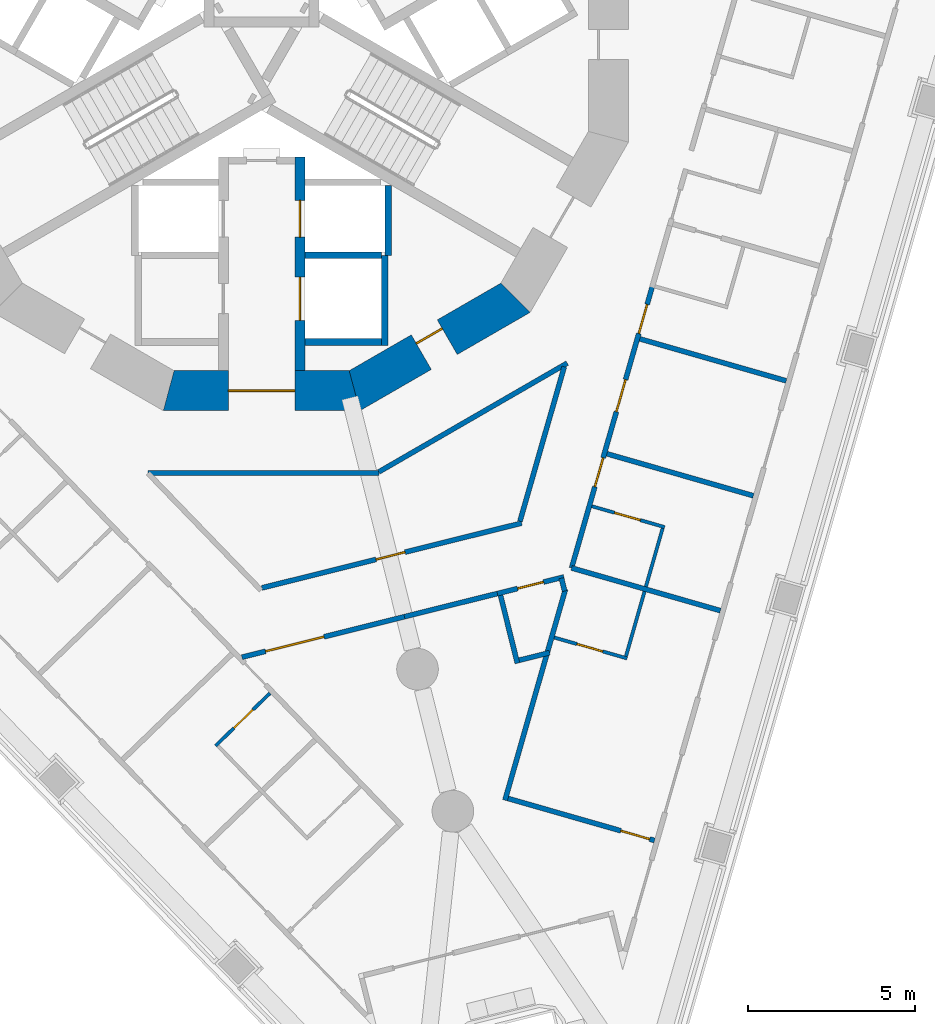
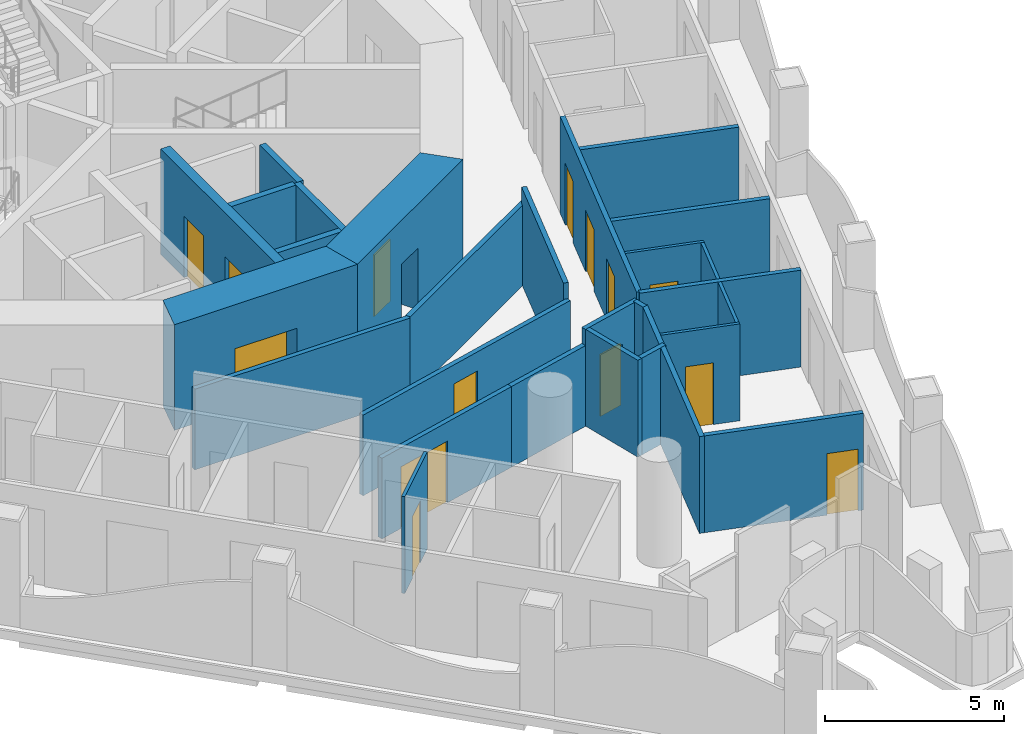
# One storey, part 4 of 19: 28 walls, 14 doors, 14 openings.
"""IFC4 building model written with IfcOpenShell, lengths in metres."""

from ifc_helpers import new_model, si_unit, direction, frame, frame_2d, origin, place, context, subcontext, project, spatial, polyline, rectangle, outline, extrude, material, layer, layer_set, type_object, element, fill, save


model = new_model("IFC4")

# Units and contexts
model_context = context("Model", 3, precision=1e-05, world=origin(), true_north=direction((0.0, 1.0)))
body_context = subcontext(model_context, "Body", "Model", "MODEL_VIEW")
ifc_project = project(units=[si_unit("LENGTHUNIT", "METRE"), si_unit("AREAUNIT", "SQUARE_METRE"), si_unit("VOLUMEUNIT", "CUBIC_METRE"), si_unit("PLANEANGLEUNIT", "RADIAN"), si_unit("MASSUNIT", "GRAM", prefix="KILO")], contexts=[model_context])

# Site, building, storey
site_placement = place(None, origin())
site = spatial("IfcSite", under=ifc_project, at=site_placement, CompositionType="ELEMENT")
building_placement = place(site_placement, origin())
building = spatial("IfcBuilding", under=site, at=building_placement, Name="Trine Commons Tower", CompositionType="ELEMENT")
storey_placement = place(building_placement, frame((0.0, 0.0, 105.300048828125)))
storey = spatial("IfcBuildingStorey", under=building, at=storey_placement, Name="L26", CompositionType="ELEMENT", Elevation=105.300048828125)

# Wall, opening, door
ifc_material_1 = material(Name="Concrete C70/85", Category="concrete")
ifc_layer_1 = layer(ifc_material_1, 1.199951171875)
ifc_layer_set_1 = layer_set([ifc_layer_1], Name="Concrete C70/85")
wall_type_1 = type_object("IfcWallType", Name="RC shear wall 1200 mm, C70/85", PredefinedType="SHEAR", material=ifc_layer_set_1)
wall_1_placement = place(storey_placement, frame((77.049560546875, 52.08837890625, 0.0), z_axis=(0.0, 0.0, 1.0), x_axis=(1.0, 0.0, 0.0)))
wall_1 = element("IfcWall", 1, at=wall_1_placement, inside=storey, type_object=wall_type_1, Name="Core wall CWC-10 L26", PredefinedType="SHEAR", context=body_context, shape_type="SweptSolid", body=[
    extrude(outline(polyline([(0.0, -0.60009765625), (5.90087890625, -0.60009765625), (5.57958984375, 0.60009765625), (0.321533203125, 0.60009765625), (0.0, -0.60009765625)])), origin(), (0.0, 0.0, 1.0), 3.599853515625),
])
opening_1_placement = place(wall_1_placement, frame((1.950439453125, 0.0, 0.0)))
opening_1 = element("IfcOpeningElement", 2, at=opening_1_placement, cuts=wall_1, Name="Opening K05.08", PredefinedType="OPENING", context=body_context, shape_type="SweptSolid", body=[
    extrude(rectangle(XDim=2.0, YDim=2.10009765625, at=frame_2d((1.0, 1.050048828125))), frame((0.0, 0.60986328125, 0.0), z_axis=(0.0, -1.0, 0.0), x_axis=(1.0, 0.0, 0.0)), (0.0, 0.0, 1.0), 1.219970703125),
])
ifc_material_2 = material(Name="Steel door leaves, fire-rated", Category="steel")
door_type_1 = type_object("IfcDoorType", Name="Lobby door, double leaf 2000 x 2100, FD60", OperationType="DOUBLE_DOOR_SINGLE_SWING", PredefinedType="DOOR", material=ifc_material_2)
door_1_placement = place(opening_1_placement, origin())
door_1 = element("IfcDoor", 3, at=door_1_placement, inside=storey, type_object=door_type_1, Name="Lobby door, Service and firefighting lobby L26", OperationType="DOUBLE_DOOR_SINGLE_SWING", OverallHeight=2.10009765625, OverallWidth=2.0, PredefinedType="DOOR", context=body_context, shape_type="SweptSolid", body=[
    extrude(rectangle(XDim=2.0, YDim=2.10009765625, at=frame_2d((1.0, 1.050048828125))), frame((0.0, 0.02490234375, 0.0), z_axis=(0.0, -1.0, 0.0), x_axis=(1.0, 0.0, 0.0)), (0.0, 0.0, 1.0), 0.050048828125),
])
fill(opening_1, door_1)

wall_2_placement = place(storey_placement, frame((82.650390625, 52.008056640625, 0.0), z_axis=(0.0, 0.0, 1.0), x_axis=(0.866037463336, 0.499979111662, 0.0)))
wall_2 = element("IfcWall", 4, at=wall_2_placement, inside=storey, type_object=wall_type_1, Name="Core wall CWC-11 L26", PredefinedType="SHEAR", context=body_context, shape_type="SweptSolid", body=[
    extrude(outline(polyline([(0.0, -0.60009765625), (5.901123046875, -0.60009765625), (5.57958984375, 0.60009765625), (0.321533203125, 0.60009765625), (0.0, -0.60009765625)])), origin(), (0.0, 0.0, 1.0), 3.599853515625),
])
opening_2_placement = place(wall_2_placement, frame((2.474853515625, 0.0, 0.0)))
opening_2 = element("IfcOpeningElement", 5, at=opening_2_placement, cuts=wall_2, Name="Opening K05.15", PredefinedType="OPENING", context=body_context, shape_type="SweptSolid", body=[
    extrude(rectangle(XDim=0.89990234375, YDim=2.10009765625, at=frame_2d((0.449951171875, 1.050048828125))), frame((0.0, 0.60986328125, 0.0), z_axis=(0.0, -1.0, 0.0), x_axis=(1.0, 0.0, 0.0)), (0.0, 0.0, 1.0), 1.219970703125),
])
ifc_material_3 = material(Name="Steel door leaf, fire-rated", Category="steel")
door_type_2 = type_object("IfcDoorType", Name="Core room door, single leaf 900 x 2100, FD30S", OperationType="SINGLE_SWING_LEFT", PredefinedType="DOOR", material=ifc_material_3)
door_2_placement = place(opening_2_placement, origin())
door_2 = element("IfcDoor", 6, at=door_2_placement, inside=storey, type_object=door_type_2, Name="Door to Core WC L26", OperationType="SINGLE_SWING_LEFT", OverallHeight=2.10009765625, OverallWidth=0.89990234375, PredefinedType="DOOR", context=body_context, shape_type="SweptSolid", body=[
    extrude(rectangle(XDim=0.89990234375, YDim=2.10009765625, at=frame_2d((0.449951171875, 1.050048828125))), frame((0.0, 0.3251953125, 0.0), z_axis=(0.0, -1.0, 0.0), x_axis=(1.0, 0.0, 0.0)), (0.0, 0.0, 1.0), 0.050048828125),
])
fill(opening_2, door_2)

# Wall, openings, doors
ifc_layer_2 = layer(ifc_material_1, 0.300048828125)
ifc_layer_set_2 = layer_set([ifc_layer_2], Name="Concrete C70/85")
wall_type_2 = type_object("IfcWallType", Name="RC shear wall 300 mm, C70/85", PredefinedType="SHEAR", material=ifc_layer_set_2)
wall_3_placement = place(storey_placement, frame((81.14990234375, 59.10009765625, 0.0), z_axis=(0.0, 0.0, 1.0), x_axis=(0.0, -1.0, 0.0)))
wall_3 = element("IfcWall", 7, at=wall_3_placement, inside=storey, type_object=wall_type_2, Name="Core cross wall SWA-04 L26", PredefinedType="SHEAR", context=body_context, shape_type="SweptSolid", body=[
    extrude(rectangle(XDim=6.412109375, YDim=0.300048828125, at=frame_2d((3.2060546875, 0.0))), origin(), (0.0, 0.0, 1.0), 3.599853515625),
])
opening_3_placement = place(wall_3_placement, frame((3.60009765625, 0.0, 0.0)))
opening_3 = element("IfcOpeningElement", 8, at=opening_3_placement, cuts=wall_3, Name="Opening LD11", PredefinedType="OPENING", context=body_context, shape_type="SweptSolid", body=[
    extrude(rectangle(XDim=1.300048828125, YDim=2.10009765625, at=frame_2d((0.64990234375, 1.050048828125))), frame((0.0, 0.159912109375, 0.0), z_axis=(0.0, -1.0, 0.0), x_axis=(1.0, 0.0, 0.0)), (0.0, 0.0, 1.0), 0.320068359375),
])
opening_4_placement = place(wall_3_placement, frame((1.300048828125, 0.0, 0.0)))
opening_4 = element("IfcOpeningElement", 9, at=opening_4_placement, cuts=wall_3, Name="Opening LD9", PredefinedType="OPENING", context=body_context, shape_type="SweptSolid", body=[
    extrude(rectangle(XDim=1.10009765625, YDim=2.10009765625, at=frame_2d((0.550048828125, 1.050048828125))), frame((0.0, 0.159912109375, 0.0), z_axis=(0.0, -1.0, 0.0), x_axis=(1.0, 0.0, 0.0)), (0.0, 0.0, 1.0), 0.320068359375),
])
ifc_material_4 = material(Name="Stainless steel sliding door leaves", Category="steel")
door_type_3 = type_object("IfcDoorType", Name="Lift landing door, centre-opening sliding 1100 x 2100, FD90", OperationType="DOUBLE_DOOR_SLIDING", PredefinedType="DOOR", material=ifc_material_4)
door_3_placement = place(opening_4_placement, origin())
door_3 = element("IfcDoor", 10, at=door_3_placement, inside=storey, type_object=door_type_3, Name="Lift landing door FF1 L26", OperationType="DOUBLE_DOOR_SLIDING", OverallHeight=2.10009765625, OverallWidth=1.10009765625, PredefinedType="DOOR", context=body_context, shape_type="SweptSolid", body=[
    extrude(rectangle(XDim=1.10009765625, YDim=2.10009765625, at=frame_2d((0.550048828125, 1.050048828125))), frame((0.0, 0.02490234375, 0.0), z_axis=(0.0, -1.0, 0.0), x_axis=(1.0, 0.0, 0.0)), (0.0, 0.0, 1.0), 0.050048828125),
])
fill(opening_4, door_3)
door_type_4 = type_object("IfcDoorType", Name="Lift landing door, centre-opening sliding 1300 x 2100, FD90", OperationType="DOUBLE_DOOR_SLIDING", PredefinedType="DOOR", material=ifc_material_4)
door_4_placement = place(opening_3_placement, origin())
door_4 = element("IfcDoor", 11, at=door_4_placement, inside=storey, type_object=door_type_4, Name="Lift landing door G1 L26", OperationType="DOUBLE_DOOR_SLIDING", OverallHeight=2.10009765625, OverallWidth=1.300048828125, PredefinedType="DOOR", context=body_context, shape_type="SweptSolid", body=[
    extrude(rectangle(XDim=1.300048828125, YDim=2.10009765625, at=frame_2d((0.64990234375, 1.050048828125))), frame((0.0, 0.02490234375, 0.0), z_axis=(0.0, -1.0, 0.0), x_axis=(1.0, 0.0, 0.0)), (0.0, 0.0, 1.0), 0.050048828125),
])
fill(opening_3, door_4)

# Walls
ifc_material_5 = material(Name="Fire-rated gypsum shaft wall system")
ifc_layer_3 = layer(ifc_material_5, 0.199951171875)
ifc_layer_set_3 = layer_set([ifc_layer_3], Name="Fire-rated gypsum shaft wall system")
wall_type_3 = type_object("IfcWallType", Name="Shaft wall 200 mm, EI 120", PredefinedType="PARTITIONING", material=ifc_layer_set_3)
for number, where, z_axis, x_axis, name in (
    (12, (81.300048828125, 53.550048828125, 0.0), (0.0, 0.0, 1.0), (1.0, 0.0, 0.0), "Shaft wall L26"),
    (13, (81.300048828125, 56.14990234375, 0.0), (0.0, 0.0, 1.0), (1.0, 0.0, 0.0), "Shaft wall L26"),
):
    element("IfcWall", number, at=place(storey_placement, frame(where, z_axis=z_axis, x_axis=x_axis)), inside=storey, type_object=wall_type_3, Name=name, PredefinedType="PARTITIONING", context=body_context, shape_type="SweptSolid", body=[
        extrude(rectangle(XDim=2.300048828125, YDim=0.199951171875, at=frame_2d((1.14990234375, 0.0))), origin(), (0.0, 0.0, 1.0), 3.300048828125),
    ])
wall_4_placement = place(storey_placement, frame((83.699951171875, 56.14990234375, 0.0), z_axis=(0.0, 0.0, 1.0), x_axis=(0.0, -1.0, 0.0)))
element("IfcWall", 14, at=wall_4_placement, inside=storey, type_object=wall_type_3, Name="Shaft wall L26", PredefinedType="PARTITIONING", context=body_context, shape_type="SweptSolid", body=[
    extrude(rectangle(XDim=2.699951171875, YDim=0.199951171875, at=frame_2d((1.35009765625, 0.0))), origin(), (0.0, 0.0, 1.0), 3.300048828125),
])
wall_5_placement = place(storey_placement, frame((83.800048828125, 58.256103515625, 0.0), z_axis=(0.0, 0.0, 1.0), x_axis=(0.0, -1.0, 0.0)))
element("IfcWall", 15, at=wall_5_placement, inside=storey, type_object=wall_type_3, Name="Shaft wall L26", PredefinedType="PARTITIONING", context=body_context, shape_type="SweptSolid", body=[
    extrude(rectangle(XDim=2.106201171875, YDim=0.199951171875, at=frame_2d((1.05322265625, 0.0))), origin(), (0.0, 0.0, 1.0), 3.300048828125),
])
ifc_material_6 = material(Name="Gypsum plasterboard on steel stud", Category="steel")
ifc_layer_4 = layer(ifc_material_6, 0.14990234375)
ifc_layer_set_4 = layer_set([ifc_layer_4], Name="Gypsum plasterboard on steel stud")
wall_type_4 = type_object("IfcWallType", Name="Unit and corridor wall 150 mm, EI 60", PredefinedType="PARTITIONING", material=ifc_layer_set_4)
wall_6_placement = place(storey_placement, frame((76.583984375, 49.613037109375, 0.0), z_axis=(0.0, 0.0, 1.0), x_axis=(1.0, 0.0, 0.0)))
element("IfcWall", 16, at=wall_6_placement, inside=storey, type_object=wall_type_4, Name="Partition 060", PredefinedType="PARTITIONING", context=body_context, shape_type="SweptSolid", body=[
    extrude(rectangle(XDim=6.944091796875, YDim=0.14990234375, at=frame_2d((3.47216796875, 0.0))), origin(), (0.0, 0.0, 1.0), 2.75),
])

# Wall, opening, door
wall_7_placement = place(storey_placement, frame((79.40869140625, 44.087158203125, 0.0), z_axis=(0.0, 0.0, 1.0), x_axis=(0.970285120957, 0.241964427241, 0.0)))
wall_7 = element("IfcWall", 17, at=wall_7_placement, inside=storey, type_object=wall_type_4, Name="Partition 072", PredefinedType="PARTITIONING", context=body_context, shape_type="SweptSolid", body=[
    extrude(rectangle(XDim=5.02880859375, YDim=0.14990234375, at=frame_2d((2.514404296875, 0.0))), origin(), (0.0, 0.0, 1.0), 2.75),
])
opening_5_placement = place(wall_7_placement, frame((0.735595703125, 0.0, 0.0)))
opening_5 = element("IfcOpeningElement", 18, at=opening_5_placement, cuts=wall_7, Name="Opening D-3B02", PredefinedType="OPENING", context=body_context, shape_type="SweptSolid", body=[
    extrude(rectangle(XDim=1.800048828125, YDim=2.10009765625, at=frame_2d((0.89990234375, 1.050048828125))), frame((0.0, 0.0849609375, 0.0), z_axis=(0.0, -1.0, 0.0), x_axis=(1.0, 0.0, 0.0)), (0.0, 0.0, 1.0), 0.169921875),
])
ifc_material_7 = material(Name="Timber fire door set", Category="wood")
door_type_5 = type_object("IfcDoorType", Name="Cluster entrance door 1800 x 2100, double leaf, FD30S", OperationType="DOUBLE_DOOR_DOUBLE_SWING", PredefinedType="DOOR", material=ifc_material_7)
door_5_placement = place(opening_5_placement, frame((1.800048828125, 0.0, 0.0), z_axis=(0.0, 0.0, 1.0), x_axis=(-1.0, 0.0, 0.0)))
door_5 = element("IfcDoor", 19, at=door_5_placement, inside=storey, type_object=door_type_5, Name="Door D-3B02", OperationType="DOUBLE_DOOR_DOUBLE_SWING", OverallHeight=2.10009765625, OverallWidth=1.800048828125, PredefinedType="DOOR", context=body_context, shape_type="SweptSolid", body=[
    extrude(rectangle(XDim=1.800048828125, YDim=2.10009765625, at=frame_2d((0.89990234375, 1.050048828125))), frame((0.0, 0.02490234375, 0.0), z_axis=(0.0, -1.0, 0.0), x_axis=(1.0, 0.0, 0.0)), (0.0, 0.0, 1.0), 0.050048828125),
])
fill(opening_5, door_5)

wall_8_placement = place(storey_placement, frame((80.005859375, 46.168212890625, 0.0), z_axis=(0.0, 0.0, 1.0), x_axis=(0.970272737209, 0.242014081056, 0.0)))
wall_8 = element("IfcWall", 20, at=wall_8_placement, inside=storey, type_object=wall_type_4, Name="Partition 074", PredefinedType="PARTITIONING", context=body_context, shape_type="SweptSolid", body=[
    extrude(rectangle(XDim=8.041015625, YDim=0.14990234375, at=frame_2d((4.0205078125, 0.0))), origin(), (0.0, 0.0, 1.0), 2.75),
])
opening_6_placement = place(wall_8_placement, frame((3.532958984375, 0.0, 0.0)))
opening_6 = element("IfcOpeningElement", 21, at=opening_6_placement, cuts=wall_8, Name="Opening D-3B36", PredefinedType="OPENING", context=body_context, shape_type="SweptSolid", body=[
    extrude(rectangle(XDim=0.89990234375, YDim=2.10009765625, at=frame_2d((0.449951171875, 1.050048828125))), frame((0.0, 0.0849609375, 0.0), z_axis=(0.0, -1.0, 0.0), x_axis=(1.0, 0.0, 0.0)), (0.0, 0.0, 1.0), 0.169921875),
])
door_type_6 = type_object("IfcDoorType", Name="Service door 900 x 2100, FD30S", OperationType="NOTDEFINED", PredefinedType="DOOR", material=ifc_material_7)
door_6_placement = place(opening_6_placement, origin())
door_6 = element("IfcDoor", 22, at=door_6_placement, inside=storey, type_object=door_type_6, Name="Door D-3B36", OperationType="SINGLE_SWING_LEFT", OverallHeight=2.10009765625, OverallWidth=0.89990234375, PredefinedType="DOOR", context=body_context, shape_type="SweptSolid", body=[
    extrude(rectangle(XDim=0.89990234375, YDim=2.10009765625, at=frame_2d((0.449951171875, 1.050048828125))), frame((0.0, 0.02490234375, 0.0), z_axis=(0.0, -1.0, 0.0), x_axis=(1.0, 0.0, 0.0)), (0.0, 0.0, 1.0), 0.050048828125),
])
fill(opening_6, door_6)

# Walls
wall_9_placement = place(storey_placement, frame((83.51806640625, 49.650390625, 0.0), z_axis=(0.0, 0.0, 1.0), x_axis=(0.866021893259, 0.50000608036, 0.0)))
element("IfcWall", 23, at=wall_9_placement, inside=storey, type_object=wall_type_4, Name="Partition 083", PredefinedType="PARTITIONING", context=body_context, shape_type="SweptSolid", body=[
    extrude(rectangle(XDim=6.5322265625, YDim=0.14990234375, at=frame_2d((3.26611328125, 0.0))), origin(), (0.0, 0.0, 1.0), 2.75),
])
wall_10_placement = place(storey_placement, frame((84.2880859375, 45.303955078125, 0.0), z_axis=(0.0, 0.0, 1.0), x_axis=(0.970312264522, 0.241855554658, 0.0)))
element("IfcWall", 24, at=wall_10_placement, inside=storey, type_object=wall_type_4, Name="Partition 087", PredefinedType="PARTITIONING", context=body_context, shape_type="SweptSolid", body=[
    extrude(rectangle(XDim=2.956787109375, YDim=0.14990234375, at=frame_2d((1.478515625, 0.0))), origin(), (0.0, 0.0, 1.0), 2.75),
])

# Wall, opening, door
wall_11_placement = place(storey_placement, frame((87.076171875, 45.998779296875, 0.0), z_axis=(0.0, 0.0, 1.0), x_axis=(0.970351527821, 0.241697977766, 0.0)))
wall_11 = element("IfcWall", 25, at=wall_11_placement, inside=storey, type_object=wall_type_4, Name="Partition 092", PredefinedType="PARTITIONING", context=body_context, shape_type="SweptSolid", body=[
    extrude(rectangle(XDim=2.0576171875, YDim=0.14990234375, at=frame_2d((1.02880859375, 0.0))), origin(), (0.0, 0.0, 1.0), 3.300048828125),
])
opening_7_placement = place(wall_11_placement, frame((0.62890625, 0.0, 0.0)))
opening_7 = element("IfcOpeningElement", 26, at=opening_7_placement, cuts=wall_11, Name="Opening D-3B05", PredefinedType="OPENING", context=body_context, shape_type="SweptSolid", body=[
    extrude(rectangle(XDim=0.800048828125, YDim=2.10009765625, at=frame_2d((0.39990234375, 1.050048828125))), frame((0.0, 0.0849609375, 0.0), z_axis=(0.0, -1.0, 0.0), x_axis=(1.0, 0.0, 0.0)), (0.0, 0.0, 1.0), 0.169921875),
])
ifc_material_8 = material(Name="Painted timber", Category="wood")
door_type_7 = type_object("IfcDoorType", Name="Toilet door 800 x 2100, NOT RATED", OperationType="NOTDEFINED", PredefinedType="DOOR", material=ifc_material_8)
door_7_placement = place(opening_7_placement, frame((0.800048828125, 0.0, 0.0), z_axis=(0.0, 0.0, 1.0), x_axis=(-1.0, 0.0, 0.0)))
door_7 = element("IfcDoor", 27, at=door_7_placement, inside=storey, type_object=door_type_7, Name="Door D-3B05", OperationType="SINGLE_SWING_LEFT", OverallHeight=2.10009765625, OverallWidth=0.800048828125, PredefinedType="DOOR", context=body_context, shape_type="SweptSolid", body=[
    extrude(rectangle(XDim=0.800048828125, YDim=2.10009765625, at=frame_2d((0.39990234375, 1.050048828125))), frame((0.0, 0.02490234375, 0.0), z_axis=(0.0, -1.0, 0.0), x_axis=(1.0, 0.0, 0.0)), (0.0, 0.0, 1.0), 0.050048828125),
])
fill(opening_7, door_7)

# Walls
wall_12_placement = place(storey_placement, frame((87.171142578125, 45.9453125, 0.0), z_axis=(0.0, 0.0, 1.0), x_axis=(0.241879199479, -0.970306370617, 0.0)))
element("IfcWall", 28, at=wall_12_placement, inside=storey, type_object=wall_type_4, Name="Partition 093", PredefinedType="PARTITIONING", context=body_context, shape_type="SweptSolid", body=[
    extrude(rectangle(XDim=2.100341796875, YDim=0.14990234375, at=frame_2d((1.05029296875, 0.0))), origin(), (0.0, 0.0, 1.0), 3.300048828125),
])
wall_13_placement = place(storey_placement, frame((87.306396484375, 39.7958984375, 0.0), z_axis=(0.0, 0.0, 1.0), x_axis=(0.275518807658, 0.961295681165, 0.0)))
element("IfcWall", 29, at=wall_13_placement, inside=storey, type_object=wall_type_4, Name="Partition 094", PredefinedType="PARTITIONING", context=body_context, shape_type="SweptSolid", body=[
    extrude(rectangle(XDim=6.588134765625, YDim=0.14990234375, at=frame_2d((3.2939453125, 0.0))), origin(), (0.0, 0.0, 1.0), 3.300048828125),
])

# Wall, opening, door
wall_14_placement = place(storey_placement, frame((87.399169921875, 39.847412109375, 0.0), z_axis=(0.0, 0.0, 1.0), x_axis=(0.961251469363, -0.275673017626, 0.0)))
wall_14 = element("IfcWall", 30, at=wall_14_placement, inside=storey, type_object=wall_type_4, Name="Partition 095", PredefinedType="PARTITIONING", context=body_context, shape_type="SweptSolid", body=[
    extrude(rectangle(XDim=4.572509765625, YDim=0.14990234375, at=frame_2d((2.2861328125, 0.0))), origin(), (0.0, 0.0, 1.0), 3.300048828125),
])
opening_8_placement = place(wall_14_placement, frame((3.522705078125, 0.0, 0.0)))
opening_8 = element("IfcOpeningElement", 31, at=opening_8_placement, cuts=wall_14, Name="Opening D-3B25", PredefinedType="OPENING", context=body_context, shape_type="SweptSolid", body=[
    extrude(rectangle(XDim=0.89990234375, YDim=2.10009765625, at=frame_2d((0.449951171875, 1.050048828125))), frame((0.0, 0.0849609375, 0.0), z_axis=(0.0, -1.0, 0.0), x_axis=(1.0, 0.0, 0.0)), (0.0, 0.0, 1.0), 0.169921875),
])
door_type_8 = type_object("IfcDoorType", Name="Bedroom door 900 x 2100, FD30S", OperationType="NOTDEFINED", PredefinedType="DOOR", material=ifc_material_7)
door_8_placement = place(opening_8_placement, origin())
door_8 = element("IfcDoor", 32, at=door_8_placement, inside=storey, type_object=door_type_8, Name="Door D-3B25", OperationType="SINGLE_SWING_RIGHT", OverallHeight=2.10009765625, OverallWidth=0.89990234375, PredefinedType="DOOR", context=body_context, shape_type="SweptSolid", body=[
    extrude(rectangle(XDim=0.89990234375, YDim=2.10009765625, at=frame_2d((0.449951171875, 1.050048828125))), frame((0.0, 0.02490234375, 0.0), z_axis=(0.0, -1.0, 0.0), x_axis=(1.0, 0.0, 0.0)), (0.0, 0.0, 1.0), 0.050048828125),
])
fill(opening_8, door_8)

# Walls
wall_15_placement = place(storey_placement, frame((87.73388671875, 43.998291015625, 0.0), z_axis=(0.0, 0.0, 1.0), x_axis=(0.970310725512, 0.241861729005, 0.0)))
element("IfcWall", 33, at=wall_15_placement, inside=storey, type_object=wall_type_4, Name="Partition 097", PredefinedType="PARTITIONING", context=body_context, shape_type="SweptSolid", body=[
    extrude(rectangle(XDim=0.937744140625, YDim=0.14990234375, at=frame_2d((0.46875, 0.0))), origin(), (0.0, 0.0, 1.0), 3.300048828125),
])
wall_16_placement = place(storey_placement, frame((87.755615234375, 48.168212890625, 0.0), z_axis=(0.0, 0.0, 1.0), x_axis=(0.275589878427, 0.961275308592, 0.0)))
element("IfcWall", 34, at=wall_16_placement, inside=storey, type_object=wall_type_4, Name="Partition 098", PredefinedType="PARTITIONING", context=body_context, shape_type="SweptSolid", body=[
    extrude(rectangle(XDim=4.824462890625, YDim=0.14990234375, at=frame_2d((2.412109375, 0.0))), origin(), (0.0, 0.0, 1.0), 3.300048828125),
])
wall_17_placement = place(storey_placement, frame((89.0, 46.461669921875, 0.0), z_axis=(0.0, 0.0, 1.0), x_axis=(0.242248462582, -0.970214245606, 0.0)))
element("IfcWall", 35, at=wall_17_placement, inside=storey, type_object=wall_type_4, Name="Partition 104", PredefinedType="PARTITIONING", context=body_context, shape_type="SweptSolid", body=[
    extrude(rectangle(XDim=0.400146484375, YDim=0.14990234375, at=frame_2d((0.2001953125, 0.0))), origin(), (0.0, 0.0, 1.0), 3.300048828125),
])

# Wall, openings, doors
wall_18_placement = place(storey_placement, frame((89.303955078125, 46.762939453125, 0.0), z_axis=(0.0, 0.0, 1.0), x_axis=(0.275663916699, 0.961254079331, 0.0)))
wall_18 = element("IfcWall", 36, at=wall_18_placement, inside=storey, type_object=wall_type_4, Name="Partition 105", PredefinedType="PARTITIONING", context=body_context, shape_type="SweptSolid", body=[
    extrude(rectangle(XDim=8.82275390625, YDim=0.14990234375, at=frame_2d((4.411376953125, 0.0))), origin(), (0.0, 0.0, 1.0), 3.300048828125),
])
opening_9_placement = place(wall_18_placement, frame((7.330078125, 0.0, 0.0)))
opening_9 = element("IfcOpeningElement", 37, at=opening_9_placement, cuts=wall_18, Name="Opening D-3B22", PredefinedType="OPENING", context=body_context, shape_type="SweptSolid", body=[
    extrude(rectangle(XDim=0.89990234375, YDim=2.10009765625, at=frame_2d((0.449951171875, 1.050048828125))), frame((0.0, 0.0849609375, 0.0), z_axis=(0.0, -1.0, 0.0), x_axis=(1.0, 0.0, 0.0)), (0.0, 0.0, 1.0), 0.169921875),
])
opening_10_placement = place(wall_18_placement, frame((4.885986328125, 0.0, 0.0)))
opening_10 = element("IfcOpeningElement", 38, at=opening_10_placement, cuts=wall_18, Name="Opening D-3B23", PredefinedType="OPENING", context=body_context, shape_type="SweptSolid", body=[
    extrude(rectangle(XDim=1.0, YDim=2.10009765625, at=frame_2d((0.5, 1.050048828125))), frame((0.0, 0.0849609375, 0.0), z_axis=(0.0, -1.0, 0.0), x_axis=(1.0, 0.0, 0.0)), (0.0, 0.0, 1.0), 0.169921875),
])
opening_11_placement = place(wall_18_placement, frame((2.5419921875, 0.0, 0.0)))
opening_11 = element("IfcOpeningElement", 39, at=opening_11_placement, cuts=wall_18, Name="Opening D-3B24", PredefinedType="OPENING", context=body_context, shape_type="SweptSolid", body=[
    extrude(rectangle(XDim=0.89990234375, YDim=2.10009765625, at=frame_2d((0.449951171875, 1.050048828125))), frame((0.0, 0.0849609375, 0.0), z_axis=(0.0, -1.0, 0.0), x_axis=(1.0, 0.0, 0.0)), (0.0, 0.0, 1.0), 0.169921875),
])
door_type_9 = type_object("IfcDoorType", Name="Amenity room door 1000 x 2100, NOT RATED", OperationType="NOTDEFINED", PredefinedType="DOOR", material=ifc_material_8)
door_9_placement = place(opening_10_placement, frame((1.0, 0.0, 0.0), z_axis=(0.0, 0.0, 1.0), x_axis=(-1.0, 0.0, 0.0)))
door_9 = element("IfcDoor", 40, at=door_9_placement, inside=storey, type_object=door_type_9, Name="Door D-3B23", OperationType="SINGLE_SWING_LEFT", OverallHeight=2.10009765625, OverallWidth=1.0, PredefinedType="DOOR", context=body_context, shape_type="SweptSolid", body=[
    extrude(rectangle(XDim=1.0, YDim=2.10009765625, at=frame_2d((0.5, 1.050048828125))), frame((0.0, 0.02490234375, 0.0), z_axis=(0.0, -1.0, 0.0), x_axis=(1.0, 0.0, 0.0)), (0.0, 0.0, 1.0), 0.050048828125),
])
fill(opening_10, door_9)
door_10_placement = place(opening_9_placement, frame((0.89990234375, 0.0, 0.0), z_axis=(0.0, 0.0, 1.0), x_axis=(-1.0, 0.0, 0.0)))
door_10 = element("IfcDoor", 41, at=door_10_placement, inside=storey, type_object=door_type_8, Name="Door D-3B22", OperationType="SINGLE_SWING_LEFT", OverallHeight=2.10009765625, OverallWidth=0.89990234375, PredefinedType="DOOR", context=body_context, shape_type="SweptSolid", body=[
    extrude(rectangle(XDim=0.89990234375, YDim=2.10009765625, at=frame_2d((0.449951171875, 1.050048828125))), frame((0.0, 0.02490234375, 0.0), z_axis=(0.0, -1.0, 0.0), x_axis=(1.0, 0.0, 0.0)), (0.0, 0.0, 1.0), 0.050048828125),
])
fill(opening_9, door_10)
door_11_placement = place(opening_11_placement, frame((0.89990234375, 0.0, 0.0), z_axis=(0.0, 0.0, 1.0), x_axis=(-1.0, 0.0, 0.0)))
door_11 = element("IfcDoor", 42, at=door_11_placement, inside=storey, type_object=door_type_8, Name="Door D-3B24", OperationType="SINGLE_SWING_RIGHT", OverallHeight=2.10009765625, OverallWidth=0.89990234375, PredefinedType="DOOR", context=body_context, shape_type="SweptSolid", body=[
    extrude(rectangle(XDim=0.89990234375, YDim=2.10009765625, at=frame_2d((0.449951171875, 1.050048828125))), frame((0.0, 0.02490234375, 0.0), z_axis=(0.0, -1.0, 0.0), x_axis=(1.0, 0.0, 0.0)), (0.0, 0.0, 1.0), 0.050048828125),
])
fill(opening_11, door_11)

# Walls
wall_19_placement = place(storey_placement, frame((89.304931640625, 46.76708984375, 0.0), z_axis=(0.0, 0.0, 1.0), x_axis=(0.961263836782, -0.275629889699, 0.0)))
element("IfcWall", 43, at=wall_19_placement, inside=storey, type_object=wall_type_4, Name="Partition 106", PredefinedType="PARTITIONING", context=body_context, shape_type="SweptSolid", body=[
    extrude(rectangle(XDim=4.6474609375, YDim=0.14990234375, at=frame_2d((2.32373046875, 0.0))), origin(), (0.0, 0.0, 1.0), 3.300048828125),
])
wall_20_placement = place(storey_placement, frame((90.3662109375, 50.1953125, 0.0), z_axis=(0.0, 0.0, 1.0), x_axis=(0.961265617229, -0.275623680283, 0.0)))
element("IfcWall", 44, at=wall_20_placement, inside=storey, type_object=wall_type_4, Name="Partition 113", PredefinedType="PARTITIONING", context=body_context, shape_type="SweptSolid", body=[
    extrude(rectangle(XDim=4.572265625, YDim=0.14990234375, at=frame_2d((2.2861328125, 0.0))), origin(), (0.0, 0.0, 1.0), 3.300048828125),
])
wall_21_placement = place(storey_placement, frame((91.35498046875, 53.644287109375, 0.0), z_axis=(0.0, 0.0, 1.0), x_axis=(0.961269673231, -0.275609534171, 0.0)))
element("IfcWall", 45, at=wall_21_placement, inside=storey, type_object=wall_type_4, Name="Partition 116", PredefinedType="PARTITIONING", context=body_context, shape_type="SweptSolid", body=[
    extrude(rectangle(XDim=4.572509765625, YDim=0.14990234375, at=frame_2d((2.2861328125, 0.0))), origin(), (0.0, 0.0, 1.0), 3.300048828125),
])

# Wall, opening, door
ifc_layer_5 = layer(ifc_material_6, 0.10009765625)
ifc_layer_set_5 = layer_set([ifc_layer_5], Name="Gypsum plasterboard on steel stud")
wall_type_5 = type_object("IfcWallType", Name="Unit partition 100 mm, no rating", PredefinedType="PARTITIONING", material=ifc_layer_set_5)
wall_22_placement = place(storey_placement, frame((78.617919921875, 41.42919921875, 0.0), z_axis=(0.0, 0.0, 1.0), x_axis=(0.719181392624, 0.69482236903, 0.0)))
wall_22 = element("IfcWall", 46, at=wall_22_placement, inside=storey, type_object=wall_type_5, Name="Partition 070", PredefinedType="PARTITIONING", context=body_context, shape_type="SweptSolid", body=[
    extrude(rectangle(XDim=2.275146484375, YDim=0.10009765625, at=frame_2d((1.1376953125, 0.0))), origin(), (0.0, 0.0, 1.0), 3.300048828125),
])
opening_12_placement = place(wall_22_placement, frame((0.762451171875, 0.0, 0.0)))
opening_12 = element("IfcOpeningElement", 47, at=opening_12_placement, cuts=wall_22, Name="Opening D-3B59", PredefinedType="OPENING", context=body_context, shape_type="SweptSolid", body=[
    extrude(rectangle(XDim=0.800048828125, YDim=2.10009765625, at=frame_2d((0.39990234375, 1.050048828125))), frame((0.0, 0.06005859375, 0.0), z_axis=(0.0, -1.0, 0.0), x_axis=(1.0, 0.0, 0.0)), (0.0, 0.0, 1.0), 0.1201171875),
])
door_type_10 = type_object("IfcDoorType", Name="Internal door 800 x 2100, NOT RATED", OperationType="NOTDEFINED", PredefinedType="DOOR", material=ifc_material_8)
door_12_placement = place(opening_12_placement, origin())
door_12 = element("IfcDoor", 48, at=door_12_placement, inside=storey, type_object=door_type_10, Name="Door D-3B59", OperationType="SINGLE_SWING_RIGHT", OverallHeight=2.10009765625, OverallWidth=0.800048828125, PredefinedType="DOOR", context=body_context, shape_type="SweptSolid", body=[
    extrude(rectangle(XDim=0.800048828125, YDim=2.10009765625, at=frame_2d((0.39990234375, 1.050048828125))), frame((0.0, 0.02490234375, 0.0), z_axis=(0.0, -1.0, 0.0), x_axis=(1.0, 0.0, 0.0)), (0.0, 0.0, 1.0), 0.050048828125),
])
fill(opening_12, door_12)

wall_23_placement = place(storey_placement, frame((88.7841796875, 44.67919921875, 0.0), z_axis=(0.0, 0.0, 1.0), x_axis=(0.961280606162, -0.275571399489, 0.0)))
wall_23 = element("IfcWall", 49, at=wall_23_placement, inside=storey, type_object=wall_type_5, Name="Partition 102", PredefinedType="PARTITIONING", context=body_context, shape_type="SweptSolid", body=[
    extrude(rectangle(XDim=2.275146484375, YDim=0.10009765625, at=frame_2d((1.1376953125, 0.0))), origin(), (0.0, 0.0, 1.0), 3.300048828125),
])
opening_13_placement = place(wall_23_placement, frame((0.71240234375, 0.0, 0.0)))
opening_13 = element("IfcOpeningElement", 50, at=opening_13_placement, cuts=wall_23, Name="Opening D-3B57", PredefinedType="OPENING", context=body_context, shape_type="SweptSolid", body=[
    extrude(rectangle(XDim=0.800048828125, YDim=2.10009765625, at=frame_2d((0.39990234375, 1.050048828125))), frame((0.0, 0.06005859375, 0.0), z_axis=(0.0, -1.0, 0.0), x_axis=(1.0, 0.0, 0.0)), (0.0, 0.0, 1.0), 0.1201171875),
])
door_13_placement = place(opening_13_placement, frame((0.800048828125, 0.0, 0.0), z_axis=(0.0, 0.0, 1.0), x_axis=(-1.0, 0.0, 0.0)))
door_13 = element("IfcDoor", 51, at=door_13_placement, inside=storey, type_object=door_type_10, Name="Door D-3B57", OperationType="SINGLE_SWING_RIGHT", OverallHeight=2.10009765625, OverallWidth=0.800048828125, PredefinedType="DOOR", context=body_context, shape_type="SweptSolid", body=[
    extrude(rectangle(XDim=0.800048828125, YDim=2.10009765625, at=frame_2d((0.39990234375, 1.050048828125))), frame((0.0, 0.02490234375, 0.0), z_axis=(0.0, -1.0, 0.0), x_axis=(1.0, 0.0, 0.0)), (0.0, 0.0, 1.0), 0.050048828125),
])
fill(opening_13, door_13)

wall_24_placement = place(storey_placement, frame((89.9140625, 48.620361328125, 0.0), z_axis=(0.0, 0.0, 1.0), x_axis=(0.961252175385, -0.275670555767, 0.0)))
wall_24 = element("IfcWall", 52, at=wall_24_placement, inside=storey, type_object=wall_type_5, Name="Partition 111", PredefinedType="PARTITIONING", context=body_context, shape_type="SweptSolid", body=[
    extrude(rectangle(XDim=2.275146484375, YDim=0.10009765625, at=frame_2d((1.1376953125, 0.0))), origin(), (0.0, 0.0, 1.0), 3.300048828125),
])
opening_14_placement = place(wall_24_placement, frame((0.71240234375, 0.0, 0.0)))
opening_14 = element("IfcOpeningElement", 53, at=opening_14_placement, cuts=wall_24, Name="Opening D-3B56", PredefinedType="OPENING", context=body_context, shape_type="SweptSolid", body=[
    extrude(rectangle(XDim=0.800048828125, YDim=2.10009765625, at=frame_2d((0.39990234375, 1.050048828125))), frame((0.0, 0.06005859375, 0.0), z_axis=(0.0, -1.0, 0.0), x_axis=(1.0, 0.0, 0.0)), (0.0, 0.0, 1.0), 0.1201171875),
])
door_14_placement = place(opening_14_placement, origin())
door_14 = element("IfcDoor", 54, at=door_14_placement, inside=storey, type_object=door_type_10, Name="Door D-3B56", OperationType="SINGLE_SWING_LEFT", OverallHeight=2.10009765625, OverallWidth=0.800048828125, PredefinedType="DOOR", context=body_context, shape_type="SweptSolid", body=[
    extrude(rectangle(XDim=0.800048828125, YDim=2.10009765625, at=frame_2d((0.39990234375, 1.050048828125))), frame((0.0, 0.02490234375, 0.0), z_axis=(0.0, -1.0, 0.0), x_axis=(1.0, 0.0, 0.0)), (0.0, 0.0, 1.0), 0.050048828125),
])
fill(opening_14, door_14)

# Walls
wall_25_placement = place(storey_placement, frame((90.936767578125, 44.114013671875, 0.0), z_axis=(0.0, 0.0, 1.0), x_axis=(0.275803571023, 0.961214018942, 0.0)))
element("IfcWall", 55, at=wall_25_placement, inside=storey, type_object=wall_type_5, Name="Partition 115", PredefinedType="PARTITIONING", context=body_context, shape_type="SweptSolid", body=[
    extrude(rectangle(XDim=2.025390625, YDim=0.10009765625, at=frame_2d((1.0126953125, 0.0))), origin(), (0.0, 0.0, 1.0), 3.300048828125),
])
wall_26_placement = place(storey_placement, frame((91.53662109375, 46.205078125, 0.0), z_axis=(0.0, 0.0, 1.0), x_axis=(0.275516324204, 0.961296392949, 0.0)))
element("IfcWall", 56, at=wall_26_placement, inside=storey, type_object=wall_type_5, Name="Partition 117", PredefinedType="PARTITIONING", context=body_context, shape_type="SweptSolid", body=[
    extrude(rectangle(XDim=1.824462890625, YDim=0.10009765625, at=frame_2d((0.912109375, 0.0))), origin(), (0.0, 0.0, 1.0), 3.300048828125),
])

save(model, "model.ifc")
